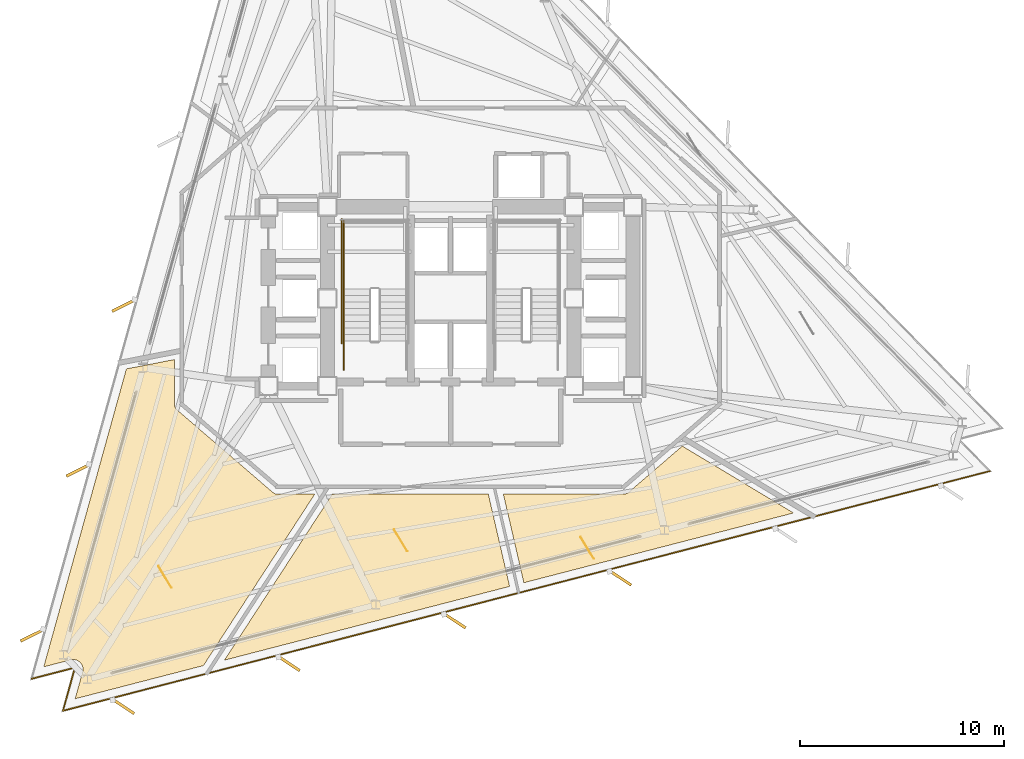
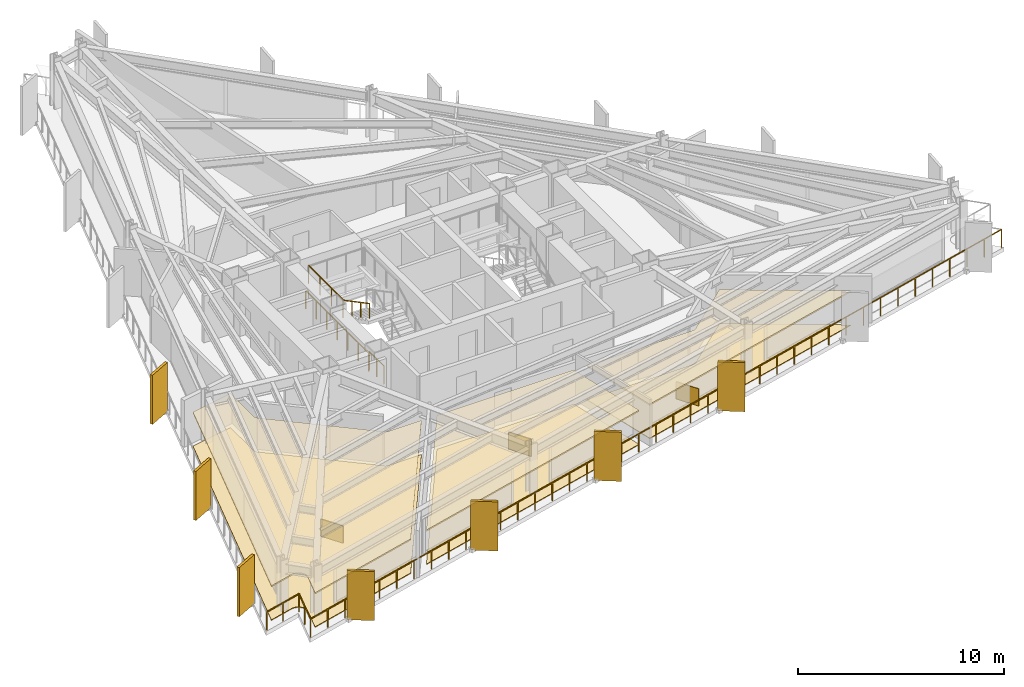
# One storey, part 9 of 11: 9 coverings, 7 shading devices, 5 railings.
"""IFC4 building model written with IfcOpenShell, lengths in metres."""

from ifc_helpers import new_model, si_unit, direction, frame, origin, origin_2d, place, context, subcontext, project, spatial, polyline, rectangle, outline, extrude, material, layer, layer_set, type_object, element, save


model = new_model("IFC4")

# Units and contexts
model_context = context("Model", 3, precision=1e-05, world=origin(), true_north=direction((0.0, 1.0)))
body_context = subcontext(model_context, "Body", "Model", "MODEL_VIEW")
ifc_project = project(units=[si_unit("LENGTHUNIT", "METRE"), si_unit("AREAUNIT", "SQUARE_METRE"), si_unit("VOLUMEUNIT", "CUBIC_METRE"), si_unit("PLANEANGLEUNIT", "RADIAN"), si_unit("MASSUNIT", "GRAM", prefix="KILO")], contexts=[model_context])

# Site, building, storey
site_placement = place(None, origin())
site = spatial("IfcSite", under=ifc_project, at=site_placement, CompositionType="ELEMENT")
building_placement = place(site_placement, origin())
building = spatial("IfcBuilding", under=site, at=building_placement, Name="Rocaltana Carrier Exchange", CompositionType="ELEMENT")
storey_placement = place(building_placement, frame((0.0, 0.0, 82.56005859375)))
storey = spatial("IfcBuildingStorey", under=building, at=storey_placement, Name="L25", CompositionType="ELEMENT", Elevation=82.56005859375)

# Coverings
ifc_material_1 = material(Name="Honed Bogota Sandstone Tile", Category="masonry")
ifc_layer_1 = layer(ifc_material_1, 0.0400390625)
ifc_layer_set_1 = layer_set([ifc_layer_1], Name="Honed Bogota Sandstone Tile")
covering_type_1 = type_object("IfcCoveringType", Name="Honed Stone Lobby Flooring 40", PredefinedType="FLOORING", material=ifc_layer_set_1)
covering_1_placement = place(storey_placement, origin())
element("IfcCovering", 1, at=covering_1_placement, inside=storey, type_object=covering_type_1, Name="L25 Peering Conference Room Finish Floor", PredefinedType="FLOORING", context=body_context, shape_type="SweptSolid", body=[
    extrude(outline(polyline([(-18.068359375, -18.33837890625), (-18.06494140625, -18.324951171875), (-18.060546875, -18.305419921875), (-18.055908203125, -18.278076171875), (-18.05322265625, -18.25830078125), (-18.051513671875, -18.230224609375), (-18.05078125, -18.21044921875), (-18.0517578125, -18.1826171875), (-18.05322265625, -18.16259765625), (-18.056884765625, -18.135009765625), (-18.060302734375, -18.115234375), (-18.066650390625, -18.088134765625), (-18.072265625, -18.069091796875), (-18.081298828125, -18.04248046875), (-18.08837890625, -18.02392578125), (-18.10009765625, -17.99853515625), (-18.109375, -17.98095703125), (-18.123291015625, -17.956787109375), (-18.13427734375, -17.940185546875), (-18.150634765625, -17.91748046875), (-18.1630859375, -17.90185546875), (-18.181640625, -17.881103515625), (-18.195556640625, -17.86669921875), (-18.216064453125, -17.847900390625), (-18.2314453125, -17.835205078125), (-18.25390625, -17.818359375), (-18.270263671875, -17.80712890625), (-18.294189453125, -17.792724609375), (-18.311767578125, -17.783203125), (-18.3369140625, -17.771240234375), (-18.355224609375, -17.763671875), (-18.381591796875, -17.754150390625), (-18.400634765625, -17.748291015625), (-18.427734375, -17.741455078125), (-18.447265625, -17.73779296875), (-18.474853515625, -17.733642578125), (-18.49462890625, -17.731689453125), (-18.522705078125, -17.73046875), (-18.54248046875, -17.73046875), (-18.5703125, -17.73193359375), (-18.59033203125, -17.73388671875), (-18.617919921875, -17.73828125), (-18.637451171875, -17.7421875), (-18.65087890625, -17.74560546875), (-19.97607421875, -18.088134765625), (-15.919677734375, -3.461181640625), (-13.56005859375, -3.00244140625), (-13.56005859375, -5.199951171875), (-13.559814453125, -5.21337890625), (-13.559326171875, -5.220947265625), (-13.556884765625, -5.24755859375), (-13.5556640625, -5.255126953125), (-13.550537109375, -5.281494140625), (-13.548828125, -5.288818359375), (-13.541259765625, -5.314453125), (-13.538818359375, -5.32177734375), (-13.52880859375, -5.346435546875), (-13.525634765625, -5.353515625), (-13.51318359375, -5.377197265625), (-13.509521484375, -5.3837890625), (-13.4951171875, -5.40625), (-13.490478515625, -5.41259765625), (-13.47412109375, -5.433349609375), (-13.468994140625, -5.439208984375), (-13.450439453125, -5.45849609375), (-13.44482421875, -5.4638671875), (-13.43505859375, -5.47265625), (-8.735107421875, -9.522705078125), (-8.72412109375, -9.53173828125), (-8.717529296875, -9.53662109375), (-8.6943359375, -9.552978515625), (-8.6875, -9.557373046875), (-8.66259765625, -9.571044921875), (-8.6552734375, -9.57470703125), (-8.629150390625, -9.5859375), (-8.62158203125, -9.5888671875), (-8.594482421875, -9.597412109375), (-8.58642578125, -9.599365234375), (-8.55859375, -9.60498046875), (-8.550537109375, -9.606201171875), (-8.522216796875, -9.609130859375), (-8.51416015625, -9.609619140625), (-8.5, -9.610107421875), (-6.670166015625, -9.610107421875), (-12.13720703125, -18.02880859375), (-18.43408203125, -19.6572265625), (-18.068359375, -18.33837890625)])), origin(), (0.0, 0.0, 1.0), 0.0400390625),
])
covering_2_placement = place(storey_placement, origin())
element("IfcCovering", 2, at=covering_2_placement, inside=storey, type_object=covering_type_1, Name="L25 Incident Briefing Room Finish Floor", PredefinedType="FLOORING", context=body_context, shape_type="SweptSolid", body=[
    extrude(outline(polyline([(-11.10546875, -17.761962890625), (-5.8115234375, -9.610107421875), (1.84912109375, -9.610107421875), (2.895263671875, -14.14111328125), (-11.10546875, -17.761962890625)])), origin(), (0.0, 0.0, 1.0), 0.0400390625),
])
covering_3_placement = place(storey_placement, origin())
element("IfcCovering", 3, at=covering_3_placement, inside=storey, type_object=covering_type_1, Name="L25 Peering Conference Room Finish Floor", PredefinedType="FLOORING", context=body_context, shape_type="SweptSolid", body=[
    extrude(outline(polyline([(3.592529296875, -13.960693359375), (2.588134765625, -9.610107421875), (8.5, -9.610107421875), (8.51416015625, -9.609619140625), (8.522216796875, -9.609130859375), (8.550537109375, -9.606201171875), (8.55859375, -9.60498046875), (8.58642578125, -9.599365234375), (8.594482421875, -9.597412109375), (8.62158203125, -9.5888671875), (8.629150390625, -9.5859375), (8.6552734375, -9.57470703125), (8.66259765625, -9.571044921875), (8.6875, -9.557373046875), (8.6943359375, -9.552978515625), (8.717529296875, -9.53662109375), (8.72412109375, -9.53173828125), (8.735107421875, -9.522705078125), (11.3701171875, -7.251953125), (16.835693359375, -10.535888671875), (3.592529296875, -13.960693359375)])), origin(), (0.0, 0.0, 1.0), 0.0400390625),
])
ifc_material_2 = material(Name="Anodised Aluminium 6063-T6", Category="aluminium")
ifc_layer_2 = layer(ifc_material_2, 0.0849609375)
ifc_layer_set_2 = layer_set([ifc_layer_2], Name="Anodised Aluminium 6063-T6")
covering_type_2 = type_object("IfcCoveringType", Name="Linear Baffle Acoustic Ceiling 85", PredefinedType="CEILING", material=ifc_layer_set_2)
covering_4_placement = place(storey_placement, frame((0.0, 0.0, 1.972900390625)))
element("IfcCovering", 4, at=covering_4_placement, inside=storey, type_object=covering_type_2, Name="L25 Peering Conference Room Acoustic Ceiling", PredefinedType="CEILING", context=body_context, shape_type="SweptSolid", body=[
    extrude(outline(polyline([(-18.068359375, -18.33837890625), (-18.06494140625, -18.324951171875), (-18.060546875, -18.305419921875), (-18.055908203125, -18.278076171875), (-18.05322265625, -18.25830078125), (-18.051513671875, -18.230224609375), (-18.05078125, -18.21044921875), (-18.0517578125, -18.1826171875), (-18.05322265625, -18.16259765625), (-18.056884765625, -18.135009765625), (-18.060302734375, -18.115234375), (-18.066650390625, -18.088134765625), (-18.072265625, -18.069091796875), (-18.081298828125, -18.04248046875), (-18.08837890625, -18.02392578125), (-18.10009765625, -17.99853515625), (-18.109375, -17.98095703125), (-18.123291015625, -17.956787109375), (-18.13427734375, -17.940185546875), (-18.150634765625, -17.91748046875), (-18.1630859375, -17.90185546875), (-18.181640625, -17.881103515625), (-18.195556640625, -17.86669921875), (-18.216064453125, -17.847900390625), (-18.2314453125, -17.835205078125), (-18.25390625, -17.818359375), (-18.270263671875, -17.80712890625), (-18.294189453125, -17.792724609375), (-18.311767578125, -17.783203125), (-18.3369140625, -17.771240234375), (-18.355224609375, -17.763671875), (-18.381591796875, -17.754150390625), (-18.400634765625, -17.748291015625), (-18.427734375, -17.741455078125), (-18.447265625, -17.73779296875), (-18.474853515625, -17.733642578125), (-18.49462890625, -17.731689453125), (-18.522705078125, -17.73046875), (-18.54248046875, -17.73046875), (-18.5703125, -17.73193359375), (-18.59033203125, -17.73388671875), (-18.617919921875, -17.73828125), (-18.637451171875, -17.7421875), (-18.65087890625, -17.74560546875), (-19.97607421875, -18.088134765625), (-15.919677734375, -3.461181640625), (-13.56005859375, -3.00244140625), (-13.56005859375, -5.199951171875), (-13.559814453125, -5.21337890625), (-13.559326171875, -5.220947265625), (-13.556884765625, -5.24755859375), (-13.5556640625, -5.255126953125), (-13.550537109375, -5.281494140625), (-13.548828125, -5.288818359375), (-13.541259765625, -5.314453125), (-13.538818359375, -5.32177734375), (-13.52880859375, -5.346435546875), (-13.525634765625, -5.353515625), (-13.51318359375, -5.377197265625), (-13.509521484375, -5.3837890625), (-13.4951171875, -5.40625), (-13.490478515625, -5.41259765625), (-13.47412109375, -5.433349609375), (-13.468994140625, -5.439208984375), (-13.450439453125, -5.45849609375), (-13.44482421875, -5.4638671875), (-13.43505859375, -5.47265625), (-8.735107421875, -9.522705078125), (-8.72412109375, -9.53173828125), (-8.717529296875, -9.53662109375), (-8.6943359375, -9.552978515625), (-8.6875, -9.557373046875), (-8.66259765625, -9.571044921875), (-8.6552734375, -9.57470703125), (-8.629150390625, -9.5859375), (-8.62158203125, -9.5888671875), (-8.594482421875, -9.597412109375), (-8.58642578125, -9.599365234375), (-8.55859375, -9.60498046875), (-8.550537109375, -9.606201171875), (-8.522216796875, -9.609130859375), (-8.51416015625, -9.609619140625), (-8.5, -9.610107421875), (-6.670166015625, -9.610107421875), (-12.13720703125, -18.02880859375), (-18.43408203125, -19.6572265625), (-18.068359375, -18.33837890625)])), origin(), (0.0, 0.0, 1.0), 0.0849609375),
])
covering_5_placement = place(storey_placement, frame((0.0, 0.0, 1.972900390625)))
element("IfcCovering", 5, at=covering_5_placement, inside=storey, type_object=covering_type_2, Name="L25 Incident Briefing Room Acoustic Ceiling", PredefinedType="CEILING", context=body_context, shape_type="SweptSolid", body=[
    extrude(outline(polyline([(-11.10546875, -17.761962890625), (-5.8115234375, -9.610107421875), (1.84912109375, -9.610107421875), (2.895263671875, -14.14111328125), (-11.10546875, -17.761962890625)])), origin(), (0.0, 0.0, 1.0), 0.0849609375),
])
covering_6_placement = place(storey_placement, frame((0.0, 0.0, 1.972900390625)))
element("IfcCovering", 6, at=covering_6_placement, inside=storey, type_object=covering_type_2, Name="L25 Peering Conference Room Acoustic Ceiling", PredefinedType="CEILING", context=body_context, shape_type="SweptSolid", body=[
    extrude(outline(polyline([(3.592529296875, -13.960693359375), (2.588134765625, -9.610107421875), (8.5, -9.610107421875), (8.51416015625, -9.609619140625), (8.522216796875, -9.609130859375), (8.550537109375, -9.606201171875), (8.55859375, -9.60498046875), (8.58642578125, -9.599365234375), (8.594482421875, -9.597412109375), (8.62158203125, -9.5888671875), (8.629150390625, -9.5859375), (8.6552734375, -9.57470703125), (8.66259765625, -9.571044921875), (8.6875, -9.557373046875), (8.6943359375, -9.552978515625), (8.717529296875, -9.53662109375), (8.72412109375, -9.53173828125), (8.735107421875, -9.522705078125), (11.3701171875, -7.251953125), (16.835693359375, -10.535888671875), (3.592529296875, -13.960693359375)])), origin(), (0.0, 0.0, 1.0), 0.0849609375),
])

# Railings
ifc_material_3 = material(Name="Brushed Architectural Stainless Tube", Category="steel")
ifc_layer_3 = layer(ifc_material_3, 0.048095703125)
ifc_layer_set_3 = layer_set([ifc_layer_3], Name="Brushed Architectural Stainless Tube")
railing_type_1 = type_object("IfcRailingType", Name="Stair Wall Handrail 920", PredefinedType="HANDRAIL", material=ifc_layer_set_3)
railing_1_placement = place(storey_placement, frame((-5.25, 0.4599609375, 1.688720703125)))
element("IfcRailing", 7, at=railing_1_placement, inside=storey, type_object=railing_type_1, Name="L25 ST-1 stair handrail 2", PredefinedType="HANDRAIL", context=body_context, shape_type="SweptSolid", body=[
    extrude(rectangle(XDim=0.048095703125, YDim=0.048095703125, at=origin_2d()), frame((0.0, 0.0, 0.8759765625), z_axis=(0.0, -0.884359608194, 0.46680625895), x_axis=(1.0, 0.0, 0.0)), (0.0, 0.0, 1.0), 2.894775390625),
    extrude(rectangle(XDim=0.0419921875, YDim=0.0419921875, at=origin_2d()), origin(), (0.0, 0.0, 1.0), 0.851806640625),
    extrude(rectangle(XDim=0.0419921875, YDim=0.0419921875, at=origin_2d()), frame((0.0, -0.853271484375, 0.450439453125)), (0.0, 0.0, 1.0), 0.851806640625),
    extrude(rectangle(XDim=0.0419921875, YDim=0.0419921875, at=origin_2d()), frame((0.0, -1.706787109375, 0.90087890625)), (0.0, 0.0, 1.0), 0.851806640625),
    extrude(rectangle(XDim=0.0419921875, YDim=0.0419921875, at=origin_2d()), frame((0.0, -2.56005859375, 1.351318359375)), (0.0, 0.0, 1.0), 0.851806640625),
])
ifc_material_4 = material(Name="Powder-Coated Aluminium 6063-T6", Category="aluminium")
ifc_layer_4 = layer(ifc_material_4, 0.048095703125)
ifc_layer_set_4 = layer_set([ifc_layer_4], Name="Powder-Coated Aluminium 6063-T6")
railing_type_2 = type_object("IfcRailingType", Name="Stair Well Guardrail 1100", PredefinedType="GUARDRAIL", material=ifc_layer_set_4)
railing_2_placement = place(storey_placement, frame((-5.25, 0.4599609375, 1.52001953125)))
element("IfcRailing", 8, at=railing_2_placement, inside=storey, type_object=railing_type_2, Name="L25 ST-1 stair guard 4", PredefinedType="GUARDRAIL", context=body_context, shape_type="SweptSolid", body=[
    extrude(rectangle(XDim=0.048095703125, YDim=0.048095703125, at=origin_2d()), frame((0.0, 0.0, 1.076171875), z_axis=(0.0, 1.0, 0.0), x_axis=(-1.0, 0.0, 0.0)), (0.0, 0.0, 1.0), 3.340087890625),
    extrude(rectangle(XDim=0.0419921875, YDim=0.0419921875, at=origin_2d()), origin(), (0.0, 0.0, 1.0), 1.052001953125),
    extrude(rectangle(XDim=0.0419921875, YDim=0.0419921875, at=origin_2d()), frame((0.0, 1.11328125, 0.0)), (0.0, 0.0, 1.0), 1.052001953125),
    extrude(rectangle(XDim=0.0419921875, YDim=0.0419921875, at=origin_2d()), frame((0.0, 2.226806640625, 0.0)), (0.0, 0.0, 1.0), 1.052001953125),
    extrude(rectangle(XDim=0.0419921875, YDim=0.0419921875, at=origin_2d()), frame((0.0, 3.340087890625, 0.0)), (0.0, 0.0, 1.0), 1.052001953125),
])
railing_3_placement = place(storey_placement, frame((-5.25, -3.5, 0.0)))
element("IfcRailing", 9, at=railing_3_placement, inside=storey, type_object=railing_type_2, Name="L25 ST-1 stair guard 9", PredefinedType="GUARDRAIL", context=body_context, shape_type="SweptSolid", body=[
    extrude(rectangle(XDim=0.048095703125, YDim=0.048095703125, at=origin_2d()), frame((0.0, 0.0, 1.076171875), z_axis=(0.0, 1.0, 0.0), x_axis=(-1.0, 0.0, 0.0)), (0.0, 0.0, 1.0), 1.39990234375),
    extrude(rectangle(XDim=0.0419921875, YDim=0.0419921875, at=origin_2d()), origin(), (0.0, 0.0, 1.0), 1.052001953125),
    extrude(rectangle(XDim=0.0419921875, YDim=0.0419921875, at=origin_2d()), frame((0.0, 0.699951171875, 0.0)), (0.0, 0.0, 1.0), 1.052001953125),
    extrude(rectangle(XDim=0.0419921875, YDim=0.0419921875, at=origin_2d()), frame((0.0, 1.39990234375, 0.0)), (0.0, 0.0, 1.0), 1.052001953125),
])
railing_4_placement = place(storey_placement, frame((-5.35009765625, -2.199951171875, 0.0)))
element("IfcRailing", 10, at=railing_4_placement, inside=storey, type_object=railing_type_2, Name="L25 ST-1 stair guard 11", PredefinedType="GUARDRAIL", context=body_context, shape_type="SweptSolid", body=[
    extrude(rectangle(XDim=0.048095703125, YDim=0.048095703125, at=origin_2d()), frame((0.0, 0.0, 1.076171875), z_axis=(0.0, 1.0, 0.0), x_axis=(-1.0, 0.0, 0.0)), (0.0, 0.0, 1.0), 6.099853515625),
    extrude(rectangle(XDim=0.0419921875, YDim=0.0419921875, at=origin_2d()), origin(), (0.0, 0.0, 1.0), 1.052001953125),
    extrude(rectangle(XDim=0.0419921875, YDim=0.0419921875, at=origin_2d()), frame((0.0, 1.0166015625, 0.0)), (0.0, 0.0, 1.0), 1.052001953125),
    extrude(rectangle(XDim=0.0419921875, YDim=0.0419921875, at=origin_2d()), frame((0.0, 2.033203125, 0.0)), (0.0, 0.0, 1.0), 1.052001953125),
    extrude(rectangle(XDim=0.0419921875, YDim=0.0419921875, at=origin_2d()), frame((0.0, 3.0498046875, 0.0)), (0.0, 0.0, 1.0), 1.052001953125),
    extrude(rectangle(XDim=0.0419921875, YDim=0.0419921875, at=origin_2d()), frame((0.0, 4.066650390625, 0.0)), (0.0, 0.0, 1.0), 1.052001953125),
    extrude(rectangle(XDim=0.0419921875, YDim=0.0419921875, at=origin_2d()), frame((0.0, 5.083251953125, 0.0)), (0.0, 0.0, 1.0), 1.052001953125),
    extrude(rectangle(XDim=0.0419921875, YDim=0.0419921875, at=origin_2d()), frame((0.0, 6.099853515625, 0.0)), (0.0, 0.0, 1.0), 1.052001953125),
])

# Coverings
ifc_material_5 = material(Name="Honed Piedra Muneca Sandstone", Category="masonry")
ifc_layer_5 = layer(ifc_material_5, 0.034912109375)
ifc_layer_set_5 = layer_set([ifc_layer_5], Name="Honed Piedra Muneca Sandstone")
covering_type_3 = type_object("IfcCoveringType", Name="Stone Facade Cladding 35", PredefinedType="CLADDING", material=ifc_layer_set_5)
for number, where, z_axis, x_axis, name in (
    (11, (-14.02880859375, -13.670166015625, 0.0), (0.0, 0.0, 1.0), (-0.51503807491, 0.857167300702, 0.0), "L25 Stone Facade Cladding Panel 1"),
    (12, (-2.455322265625, -11.87548828125, 0.0), (0.0, 0.0, 1.0), (-0.51503807491, 0.857167300702, 0.0), "L25 Stone Facade Cladding Panel 2"),
    (13, (6.705810546875, -12.248291015625, 0.0), (0.0, 0.0, 1.0), (-0.51503807491, 0.857167300702, 0.0), "L25 Stone Facade Cladding Panel 3"),
):
    element("IfcCovering", number, at=place(storey_placement, frame(where, z_axis=z_axis, x_axis=x_axis)), inside=storey, type_object=covering_type_3, Name=name, PredefinedType="CLADDING", context=body_context, shape_type="SweptSolid", body=[
        extrude(rectangle(XDim=1.25, YDim=0.034912109375, at=origin_2d()), origin(), (0.0, 0.0, 1.0), 1.050048828125),
    ])

# Shading devices
ifc_material_6 = material(Name="Honed Bogota Sandstone & Concrete C45/55", Category="masonry")
ifc_layer_6 = layer(ifc_material_6, 0.139892578125)
ifc_layer_set_6 = layer_set([ifc_layer_6], Name="Honed Bogota Sandstone & Concrete C45/55")
shading_device_type = type_object("IfcShadingDeviceType", Name="Vertical Sandstone Shading Fin 1320x140", PredefinedType="USERDEFINED", material=ifc_layer_set_6)
for number, where, z_axis, x_axis, name in (
    (14, (-16.031005859375, -0.34326171875, -0.1201171875), (0.0, 0.0, 1.0), (-0.894934361602, -0.44619781311, 0.0), "L25 Sandstone Vertical Fin F2-04"),
    (15, (-18.27587890625, -8.437744140625, -0.1201171875), (0.0, 0.0, 1.0), (-0.894934361602, -0.44619781311, 0.0), "L25 Sandstone Vertical Fin F2-05"),
    (16, (-20.520751953125, -16.5322265625, -0.1201171875), (0.0, 0.0, 1.0), (-0.894934361602, -0.44619781311, 0.0), "L25 Sandstone Vertical Fin F2-06"),
    (17, (-16.08447265625, -20.021484375, -0.1201171875), (0.0, 0.0, 1.0), (0.833885822067, -0.551936985312, 0.0), "L25 Sandstone Vertical Fin F3-01"),
    (18, (-7.9521484375, -17.918212890625, -0.1201171875), (0.0, 0.0, 1.0), (0.833885822067, -0.551936985312, 0.0), "L25 Sandstone Vertical Fin F3-02"),
    (19, (0.180419921875, -15.81494140625, -0.1201171875), (0.0, 0.0, 1.0), (0.833885822067, -0.551936985312, 0.0), "L25 Sandstone Vertical Fin F3-03"),
    (20, (8.312744140625, -13.7119140625, -0.1201171875), (0.0, 0.0, 1.0), (0.833885822067, -0.551936985312, 0.0), "L25 Sandstone Vertical Fin F3-04"),
):
    element("IfcShadingDevice", number, at=place(storey_placement, frame(where, z_axis=z_axis, x_axis=x_axis)), inside=storey, type_object=shading_device_type, Name=name, ObjectType="FIN", PredefinedType="USERDEFINED", context=body_context, shape_type="SweptSolid", body=[
        extrude(rectangle(XDim=1.320068359375, YDim=0.139892578125, at=origin_2d()), origin(), (0.0, 0.0, 1.0), 2.907958984375),
    ])

# Railing
ifc_material_7 = material(Name="Powder-Coated Aluminium 6063-T6", Category="aluminium")
ifc_layer_7 = layer(ifc_material_7, 0.06005859375)
ifc_layer_set_7 = layer_set([ifc_layer_7], Name="Powder-Coated Aluminium 6063-T6")
railing_type_3 = type_object("IfcRailingType", Name="Wind-Floor & Terrace Perimeter Guardrail 1100", PredefinedType="GUARDRAIL", material=ifc_layer_set_7)
railing_5_placement = place(storey_placement, frame((26.46240234375, -8.47998046875, 0.0)))
element("IfcRailing", 21, at=railing_5_placement, inside=storey, type_object=railing_type_3, Name="L25 Perimeter Balcony Guardrail 1", PredefinedType="GUARDRAIL", context=body_context, shape_type="SweptSolid", body=[
    extrude(rectangle(XDim=0.048095703125, YDim=0.048095703125, at=origin_2d()), frame((0.0, 0.0, 1.076171875), z_axis=(-0.968146868185, -0.250382989886, 0.0), x_axis=(0.250382989886, -0.968146868185, 0.0)), (0.0, 0.0, 1.0), 46.992431640625),
    extrude(rectangle(XDim=0.048095703125, YDim=0.048095703125, at=origin_2d()), frame((-45.49560546875, -11.76611328125, 1.076171875), z_axis=(0.267237446942, 0.96363071088, 0.0), x_axis=(-0.96363071088, 0.267237446942, 0.0)), (0.0, 0.0, 1.0), 2.199951171875),
    extrude(rectangle(XDim=0.048095703125, YDim=0.048095703125, at=origin_2d()), frame((-44.90771484375, -9.646240234375, 1.076171875), z_axis=(-0.968152477167, -0.250361300835, 0.0), x_axis=(0.250361300835, -0.968152477167, 0.0)), (0.0, 0.0, 1.0), 2.199951171875),
    extrude(rectangle(XDim=0.0419921875, YDim=0.0419921875, at=origin_2d()), origin(), (0.0, 0.0, 1.0), 1.052001953125),
    extrude(rectangle(XDim=0.0419921875, YDim=0.0419921875, at=origin_2d()), frame((-1.137451171875, -0.294189453125, 0.0)), (0.0, 0.0, 1.0), 1.052001953125),
    extrude(rectangle(XDim=0.0419921875, YDim=0.0419921875, at=origin_2d()), frame((-2.27490234375, -0.58837890625, 0.0)), (0.0, 0.0, 1.0), 1.052001953125),
    extrude(rectangle(XDim=0.0419921875, YDim=0.0419921875, at=origin_2d()), frame((-3.412109375, -0.882568359375, 0.0)), (0.0, 0.0, 1.0), 1.052001953125),
    extrude(rectangle(XDim=0.0419921875, YDim=0.0419921875, at=origin_2d()), frame((-4.549560546875, -1.176513671875, 0.0)), (0.0, 0.0, 1.0), 1.052001953125),
    extrude(rectangle(XDim=0.0419921875, YDim=0.0419921875, at=origin_2d()), frame((-5.68701171875, -1.470703125, 0.0)), (0.0, 0.0, 1.0), 1.052001953125),
    extrude(rectangle(XDim=0.0419921875, YDim=0.0419921875, at=origin_2d()), frame((-6.82421875, -1.764892578125, 0.0)), (0.0, 0.0, 1.0), 1.052001953125),
    extrude(rectangle(XDim=0.0419921875, YDim=0.0419921875, at=origin_2d()), frame((-7.961669921875, -2.05908203125, 0.0)), (0.0, 0.0, 1.0), 1.052001953125),
    extrude(rectangle(XDim=0.0419921875, YDim=0.0419921875, at=origin_2d()), frame((-9.09912109375, -2.353271484375, 0.0)), (0.0, 0.0, 1.0), 1.052001953125),
    extrude(rectangle(XDim=0.0419921875, YDim=0.0419921875, at=origin_2d()), frame((-10.236572265625, -2.6474609375, 0.0)), (0.0, 0.0, 1.0), 1.052001953125),
    extrude(rectangle(XDim=0.0419921875, YDim=0.0419921875, at=origin_2d()), frame((-11.3740234375, -2.94140625, 0.0)), (0.0, 0.0, 1.0), 1.052001953125),
    extrude(rectangle(XDim=0.0419921875, YDim=0.0419921875, at=origin_2d()), frame((-12.51123046875, -3.235595703125, 0.0)), (0.0, 0.0, 1.0), 1.052001953125),
    extrude(rectangle(XDim=0.0419921875, YDim=0.0419921875, at=origin_2d()), frame((-13.648681640625, -3.52978515625, 0.0)), (0.0, 0.0, 1.0), 1.052001953125),
    extrude(rectangle(XDim=0.0419921875, YDim=0.0419921875, at=origin_2d()), frame((-14.7861328125, -3.823974609375, 0.0)), (0.0, 0.0, 1.0), 1.052001953125),
    extrude(rectangle(XDim=0.0419921875, YDim=0.0419921875, at=origin_2d()), frame((-15.92333984375, -4.1181640625, 0.0)), (0.0, 0.0, 1.0), 1.052001953125),
    extrude(rectangle(XDim=0.0419921875, YDim=0.0419921875, at=origin_2d()), frame((-17.060791015625, -4.412353515625, 0.0)), (0.0, 0.0, 1.0), 1.052001953125),
    extrude(rectangle(XDim=0.0419921875, YDim=0.0419921875, at=origin_2d()), frame((-18.1982421875, -4.70654296875, 0.0)), (0.0, 0.0, 1.0), 1.052001953125),
    extrude(rectangle(XDim=0.0419921875, YDim=0.0419921875, at=origin_2d()), frame((-19.335693359375, -5.00048828125, 0.0)), (0.0, 0.0, 1.0), 1.052001953125),
    extrude(rectangle(XDim=0.0419921875, YDim=0.0419921875, at=origin_2d()), frame((-20.47314453125, -5.294677734375, 0.0)), (0.0, 0.0, 1.0), 1.052001953125),
    extrude(rectangle(XDim=0.0419921875, YDim=0.0419921875, at=origin_2d()), frame((-21.6103515625, -5.5888671875, 0.0)), (0.0, 0.0, 1.0), 1.052001953125),
    extrude(rectangle(XDim=0.0419921875, YDim=0.0419921875, at=origin_2d()), frame((-22.747802734375, -5.883056640625, 0.0)), (0.0, 0.0, 1.0), 1.052001953125),
    extrude(rectangle(XDim=0.0419921875, YDim=0.0419921875, at=origin_2d()), frame((-23.88525390625, -6.17724609375, 0.0)), (0.0, 0.0, 1.0), 1.052001953125),
    extrude(rectangle(XDim=0.0419921875, YDim=0.0419921875, at=origin_2d()), frame((-25.022705078125, -6.471435546875, 0.0)), (0.0, 0.0, 1.0), 1.052001953125),
    extrude(rectangle(XDim=0.0419921875, YDim=0.0419921875, at=origin_2d()), frame((-26.159912109375, -6.765625, 0.0)), (0.0, 0.0, 1.0), 1.052001953125),
    extrude(rectangle(XDim=0.0419921875, YDim=0.0419921875, at=origin_2d()), frame((-27.29736328125, -7.0595703125, 0.0)), (0.0, 0.0, 1.0), 1.052001953125),
    extrude(rectangle(XDim=0.0419921875, YDim=0.0419921875, at=origin_2d()), frame((-28.434814453125, -7.353759765625, 0.0)), (0.0, 0.0, 1.0), 1.052001953125),
    extrude(rectangle(XDim=0.0419921875, YDim=0.0419921875, at=origin_2d()), frame((-29.572265625, -7.64794921875, 0.0)), (0.0, 0.0, 1.0), 1.052001953125),
    extrude(rectangle(XDim=0.0419921875, YDim=0.0419921875, at=origin_2d()), frame((-30.70947265625, -7.942138671875, 0.0)), (0.0, 0.0, 1.0), 1.052001953125),
    extrude(rectangle(XDim=0.0419921875, YDim=0.0419921875, at=origin_2d()), frame((-31.846923828125, -8.236328125, 0.0)), (0.0, 0.0, 1.0), 1.052001953125),
    extrude(rectangle(XDim=0.0419921875, YDim=0.0419921875, at=origin_2d()), frame((-32.984375, -8.530517578125, 0.0)), (0.0, 0.0, 1.0), 1.052001953125),
    extrude(rectangle(XDim=0.0419921875, YDim=0.0419921875, at=origin_2d()), frame((-34.12158203125, -8.82470703125, 0.0)), (0.0, 0.0, 1.0), 1.052001953125),
    extrude(rectangle(XDim=0.0419921875, YDim=0.0419921875, at=origin_2d()), frame((-35.259033203125, -9.11865234375, 0.0)), (0.0, 0.0, 1.0), 1.052001953125),
    extrude(rectangle(XDim=0.0419921875, YDim=0.0419921875, at=origin_2d()), frame((-36.396484375, -9.412841796875, 0.0)), (0.0, 0.0, 1.0), 1.052001953125),
    extrude(rectangle(XDim=0.0419921875, YDim=0.0419921875, at=origin_2d()), frame((-37.533935546875, -9.70703125, 0.0)), (0.0, 0.0, 1.0), 1.052001953125),
    extrude(rectangle(XDim=0.0419921875, YDim=0.0419921875, at=origin_2d()), frame((-38.67138671875, -10.001220703125, 0.0)), (0.0, 0.0, 1.0), 1.052001953125),
    extrude(rectangle(XDim=0.0419921875, YDim=0.0419921875, at=origin_2d()), frame((-39.80859375, -10.29541015625, 0.0)), (0.0, 0.0, 1.0), 1.052001953125),
    extrude(rectangle(XDim=0.0419921875, YDim=0.0419921875, at=origin_2d()), frame((-40.946044921875, -10.589599609375, 0.0)), (0.0, 0.0, 1.0), 1.052001953125),
    extrude(rectangle(XDim=0.0419921875, YDim=0.0419921875, at=origin_2d()), frame((-42.08349609375, -10.883544921875, 0.0)), (0.0, 0.0, 1.0), 1.052001953125),
    extrude(rectangle(XDim=0.0419921875, YDim=0.0419921875, at=origin_2d()), frame((-43.220703125, -11.177734375, 0.0)), (0.0, 0.0, 1.0), 1.052001953125),
    extrude(rectangle(XDim=0.0419921875, YDim=0.0419921875, at=origin_2d()), frame((-44.358154296875, -11.471923828125, 0.0)), (0.0, 0.0, 1.0), 1.052001953125),
    extrude(rectangle(XDim=0.0419921875, YDim=0.0419921875, at=origin_2d()), frame((-45.49560546875, -11.76611328125, 0.0)), (0.0, 0.0, 1.0), 1.052001953125),
    extrude(rectangle(XDim=0.0419921875, YDim=0.0419921875, at=origin_2d()), frame((-45.20166015625, -10.7060546875, 0.0)), (0.0, 0.0, 1.0), 1.052001953125),
    extrude(rectangle(XDim=0.0419921875, YDim=0.0419921875, at=origin_2d()), frame((-44.90771484375, -9.646240234375, 0.0)), (0.0, 0.0, 1.0), 1.052001953125),
    extrude(rectangle(XDim=0.0419921875, YDim=0.0419921875, at=origin_2d()), frame((-45.97265625, -9.921630859375, 0.0)), (0.0, 0.0, 1.0), 1.052001953125),
    extrude(rectangle(XDim=0.0419921875, YDim=0.0419921875, at=origin_2d()), frame((-47.03759765625, -10.197021484375, 0.0)), (0.0, 0.0, 1.0), 1.052001953125),
])

save(model, "model.ifc")
